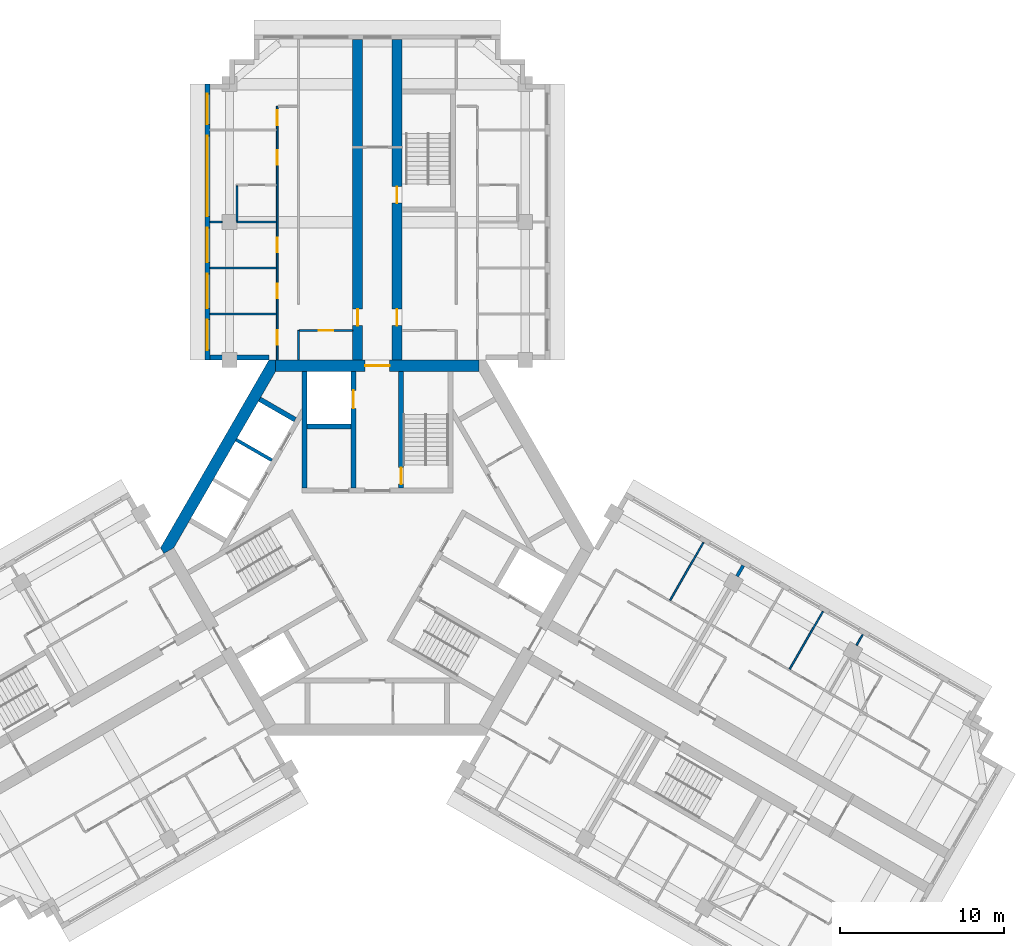
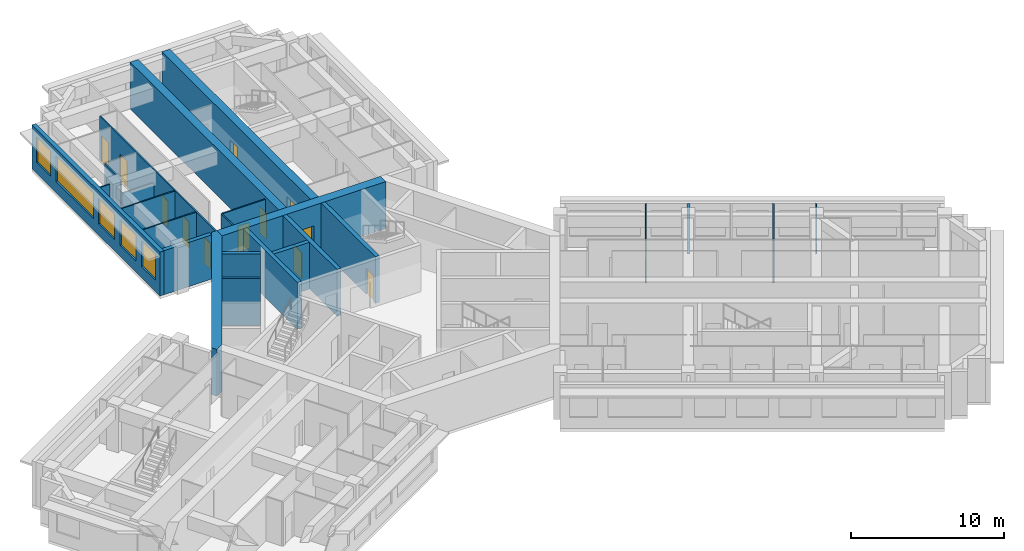
# One storey, part 7 of 11: 24 walls, 12 doors, 5 windows, 17 openings.
"""IFC4 building model written with IfcOpenShell, lengths in metres."""

from ifc_helpers import new_model, si_unit, direction, frame, frame_2d, origin, place, context, subcontext, project, spatial, polyline, rectangle, outline, extrude, material, layer, layer_set, type_object, element, fill, save


model = new_model("IFC4")

# Units and contexts
model_context = context("Model", 3, precision=1e-05, world=origin(), true_north=direction((0.0, 1.0)))
body_context = subcontext(model_context, "Body", "Model", "MODEL_VIEW")
ifc_project = project(units=[si_unit("LENGTHUNIT", "METRE"), si_unit("AREAUNIT", "SQUARE_METRE"), si_unit("VOLUMEUNIT", "CUBIC_METRE"), si_unit("PLANEANGLEUNIT", "RADIAN"), si_unit("MASSUNIT", "GRAM", prefix="KILO")], contexts=[model_context])

# Site, building, storey
site_placement = place(None, origin())
site = spatial("IfcSite", under=ifc_project, at=site_placement, CompositionType="ELEMENT")
building_placement = place(site_placement, origin())
building = spatial("IfcBuilding", under=site, at=building_placement, Name="Impinga Residences", CompositionType="ELEMENT")
storey_placement = place(building_placement, frame((0.0, 0.0, 244.75)))
storey = spatial("IfcBuildingStorey", under=building, at=storey_placement, Name="L61", CompositionType="ELEMENT", Elevation=244.75)

# Wall, opening, door
ifc_material_1 = material(Name="Concrete C60/75", Category="concrete")
ifc_layer_1 = layer(ifc_material_1, 0.60009765625)
ifc_layer_set_1 = layer_set([ifc_layer_1], Name="Concrete C60/75")
wall_type_1 = type_object("IfcWallType", Name="BW3 corridor buttress wall, L46 to L73 600", PredefinedType="SHEAR", material=ifc_layer_set_1)
wall_1_placement = place(storey_placement, frame((-1.199951171875, 11.08154296875, 0.0), z_axis=(0.0, 0.0, 1.0), x_axis=(0.0, 1.0, 0.0)))
wall_1 = element("IfcWall", 1, at=wall_1_placement, inside=storey, type_object=wall_type_1, Name="Corridor wall BW3 NC L61", PredefinedType="SHEAR", context=body_context, shape_type="SweptSolid", body=[
    extrude(rectangle(XDim=19.85009765625, YDim=0.60009765625, at=frame_2d((9.925048828125, 0.0))), origin(), (0.0, 0.0, 1.0), 3.75),
])
opening_1_placement = place(wall_1_placement, frame((2.449951171875, 0.0, 0.0)))
opening_1 = element("IfcOpeningElement", 2, at=opening_1_placement, cuts=wall_1, Name="Opening D1", PredefinedType="OPENING", context=body_context, shape_type="SweptSolid", body=[
    extrude(rectangle(XDim=1.0, YDim=2.10009765625, at=frame_2d((0.5, 1.050048828125))), frame((0.0, 0.31005859375, 0.0), z_axis=(0.0, -1.0, 0.0), x_axis=(1.0, 0.0, 0.0)), (0.0, 0.0, 1.0), 0.6201171875),
])
ifc_material_2 = material(Name="Timber door set", Category="wood")
door_type_1 = type_object("IfcDoorType", Name="D1 apartment entrance door 1000x2100", OperationType="SINGLE_SWING_LEFT", PredefinedType="DOOR", material=ifc_material_2)
door_1_placement = place(opening_1_placement, origin())
door_1 = element("IfcDoor", 3, at=door_1_placement, inside=storey, type_object=door_type_1, Name="Apartment L61-NA1 entrance", OperationType="SINGLE_SWING_LEFT", OverallHeight=2.10009765625, OverallWidth=1.0, PredefinedType="DOOR", context=body_context, shape_type="SweptSolid", body=[
    extrude(rectangle(XDim=1.0, YDim=2.10009765625, at=frame_2d((0.5, 1.050048828125))), frame((0.0, 0.02490234375, 0.0), z_axis=(0.0, -1.0, 0.0), x_axis=(1.0, 0.0, 0.0)), (0.0, 0.0, 1.0), 0.050048828125),
])
fill(opening_1, door_1)

# Wall, openings, doors
wall_2_placement = place(storey_placement, frame((1.199951171875, 11.08154296875, 0.0), z_axis=(0.0, 0.0, 1.0), x_axis=(0.0, 1.0, 0.0)))
wall_2 = element("IfcWall", 4, at=wall_2_placement, inside=storey, type_object=wall_type_1, Name="Corridor wall BW3 ND L61", PredefinedType="SHEAR", context=body_context, shape_type="SweptSolid", body=[
    extrude(rectangle(XDim=19.85009765625, YDim=0.60009765625, at=frame_2d((9.925048828125, 0.0))), origin(), (0.0, 0.0, 1.0), 3.75),
])
opening_2_placement = place(wall_2_placement, frame((9.89990234375, 0.0, 0.0)))
opening_2 = element("IfcOpeningElement", 5, at=opening_2_placement, cuts=wall_2, Name="Opening D5", PredefinedType="OPENING", context=body_context, shape_type="SweptSolid", body=[
    extrude(rectangle(XDim=1.0, YDim=2.10009765625, at=frame_2d((0.5, 1.050048828125))), frame((0.0, 0.31005859375, 0.0), z_axis=(0.0, -1.0, 0.0), x_axis=(1.0, 0.0, 0.0)), (0.0, 0.0, 1.0), 0.6201171875),
])
opening_3_placement = place(wall_2_placement, frame((2.449951171875, 0.0, 0.0)))
opening_3 = element("IfcOpeningElement", 6, at=opening_3_placement, cuts=wall_2, Name="Opening D1", PredefinedType="OPENING", context=body_context, shape_type="SweptSolid", body=[
    extrude(rectangle(XDim=1.0, YDim=2.10009765625, at=frame_2d((0.5, 1.050048828125))), frame((0.0, 0.31005859375, 0.0), z_axis=(0.0, -1.0, 0.0), x_axis=(1.0, 0.0, 0.0)), (0.0, 0.0, 1.0), 0.6201171875),
])
door_2_placement = place(opening_3_placement, origin())
door_2 = element("IfcDoor", 7, at=door_2_placement, inside=storey, type_object=door_type_1, Name="Apartment L61-NF1 entrance", OperationType="SINGLE_SWING_LEFT", OverallHeight=2.10009765625, OverallWidth=1.0, PredefinedType="DOOR", context=body_context, shape_type="SweptSolid", body=[
    extrude(rectangle(XDim=1.0, YDim=2.10009765625, at=frame_2d((0.5, 1.050048828125))), frame((0.0, 0.02490234375, 0.0), z_axis=(0.0, -1.0, 0.0), x_axis=(1.0, 0.0, 0.0)), (0.0, 0.0, 1.0), 0.050048828125),
])
fill(opening_3, door_2)
door_type_2 = type_object("IfcDoorType", Name="D5 stair door 1000x2100", OperationType="SINGLE_SWING_LEFT", PredefinedType="DOOR", material=ifc_material_2)
door_3_placement = place(opening_2_placement, origin())
door_3 = element("IfcDoor", 8, at=door_3_placement, inside=storey, type_object=door_type_2, Name="Wing stair door N", OperationType="SINGLE_SWING_RIGHT", OverallHeight=2.10009765625, OverallWidth=1.0, PredefinedType="DOOR", context=body_context, shape_type="SweptSolid", body=[
    extrude(rectangle(XDim=1.0, YDim=2.10009765625, at=frame_2d((0.5, 1.050048828125))), frame((0.0, 0.02490234375, 0.0), z_axis=(0.0, -1.0, 0.0), x_axis=(1.0, 0.0, 0.0)), (0.0, 0.0, 1.0), 0.050048828125),
])
fill(opening_2, door_3)

# Wall
ifc_material_3 = material(Name="Terracotta rainscreen on blockwork", Category="masonry")
ifc_layer_2 = layer(ifc_material_3, 0.300048828125)
ifc_layer_set_2 = layer_set([ifc_layer_2], Name="EW1 external wall, terracotta rainscreen on blockwork 300")
wall_type_2 = type_object("IfcWallType", Name="EW1 external wall, terracotta rainscreen on blockwork 300", PredefinedType="SOLIDWALL", material=ifc_layer_set_2)
wall_3_placement = place(storey_placement, frame((-6.60009765625, 11.58154296875, 0.0), z_axis=(0.0, 0.0, 1.0), x_axis=(-1.0, 0.0, 0.0)))
element("IfcWall", 9, at=wall_3_placement, inside=storey, type_object=wall_type_2, Name="External wall EW1 L61", PredefinedType="SOLIDWALL", context=body_context, shape_type="SweptSolid", body=[
    extrude(rectangle(XDim=3.599853515625, YDim=0.300048828125, at=frame_2d((1.7998046875, 0.0))), origin(), (0.0, 0.0, 1.0), 3.530029296875),
])

# Wall, openings, windows
wall_4_placement = place(storey_placement, frame((-10.35009765625, 11.431640625, 0.0), z_axis=(0.0, 0.0, 1.0), x_axis=(0.0, 1.0, 0.0)))
wall_4 = element("IfcWall", 10, at=wall_4_placement, inside=storey, type_object=wall_type_2, Name="External wall EW1 L61", PredefinedType="SOLIDWALL", context=body_context, shape_type="SweptSolid", body=[
    extrude(rectangle(XDim=16.7998046875, YDim=0.300048828125, at=frame_2d((8.39990234375, 0.0))), origin(), (0.0, 0.0, 1.0), 3.530029296875),
])
opening_4_placement = place(wall_4_placement, frame((0.60009765625, 0.0, 0.89990234375)))
opening_4 = element("IfcOpeningElement", 11, at=opening_4_placement, cuts=wall_4, Name="Opening W15", PredefinedType="OPENING", context=body_context, shape_type="SweptSolid", body=[
    extrude(rectangle(XDim=1.85009765625, YDim=2.050048828125, at=frame_2d((0.925048828125, 1.02490234375))), frame((0.0, 0.159912109375, 0.0), z_axis=(0.0, -1.0, 0.0), x_axis=(1.0, 0.0, 0.0)), (0.0, 0.0, 1.0), 0.320068359375),
])
opening_5_placement = place(wall_4_placement, frame((3.14990234375, 0.0, 0.89990234375)))
opening_5 = element("IfcOpeningElement", 12, at=opening_5_placement, cuts=wall_4, Name="Opening W9", PredefinedType="OPENING", context=body_context, shape_type="SweptSolid", body=[
    extrude(rectangle(XDim=2.10009765625, YDim=2.050048828125, at=frame_2d((1.050048828125, 1.02490234375))), frame((0.0, 0.159912109375, 0.0), z_axis=(0.0, -1.0, 0.0), x_axis=(1.0, 0.0, 0.0)), (0.0, 0.0, 1.0), 0.320068359375),
])
opening_6_placement = place(wall_4_placement, frame((5.949951171875, 0.0, 0.89990234375)))
opening_6 = element("IfcOpeningElement", 13, at=opening_6_placement, cuts=wall_4, Name="Opening W9", PredefinedType="OPENING", context=body_context, shape_type="SweptSolid", body=[
    extrude(rectangle(XDim=2.10009765625, YDim=2.050048828125, at=frame_2d((1.050048828125, 1.02490234375))), frame((0.0, 0.159912109375, 0.0), z_axis=(0.0, -1.0, 0.0), x_axis=(1.0, 0.0, 0.0)), (0.0, 0.0, 1.0), 0.320068359375),
])
opening_7_placement = place(wall_4_placement, frame((8.75, 0.0, 0.89990234375)))
opening_7 = element("IfcOpeningElement", 14, at=opening_7_placement, cuts=wall_4, Name="Opening W16", PredefinedType="OPENING", context=body_context, shape_type="SweptSolid", body=[
    extrude(rectangle(XDim=4.89990234375, YDim=2.050048828125, at=frame_2d((2.449951171875, 1.02490234375))), frame((0.0, 0.159912109375, 0.0), z_axis=(0.0, -1.0, 0.0), x_axis=(1.0, 0.0, 0.0)), (0.0, 0.0, 1.0), 0.320068359375),
])
opening_8_placement = place(wall_4_placement, frame((14.35009765625, 0.0, 0.89990234375)))
opening_8 = element("IfcOpeningElement", 15, at=opening_8_placement, cuts=wall_4, Name="Opening W15", PredefinedType="OPENING", context=body_context, shape_type="SweptSolid", body=[
    extrude(rectangle(XDim=1.85009765625, YDim=2.050048828125, at=frame_2d((0.925048828125, 1.02490234375))), frame((0.0, 0.159912109375, 0.0), z_axis=(0.0, -1.0, 0.0), x_axis=(1.0, 0.0, 0.0)), (0.0, 0.0, 1.0), 0.320068359375),
])
ifc_material_4 = material(Name="Aluminium window, clear double glazing", Category="aluminium")
window_type_1 = type_object("IfcWindowType", Name="W15 ribbon window 1850x2050", PartitioningType="SINGLE_PANEL", PredefinedType="WINDOW", material=ifc_material_4)
window_1_placement = place(opening_4_placement, origin())
window_1 = element("IfcWindow", 16, at=window_1_placement, inside=storey, type_object=window_type_1, Name="Window L61", OverallHeight=2.050048828125, OverallWidth=1.85009765625, PartitioningType="SINGLE_PANEL", PredefinedType="WINDOW", context=body_context, shape_type="SweptSolid", body=[
    extrude(rectangle(XDim=1.85009765625, YDim=2.050048828125, at=frame_2d((0.925048828125, 1.02490234375))), frame((0.0, 0.030029296875, 0.0), z_axis=(0.0, -1.0, 0.0), x_axis=(1.0, 0.0, 0.0)), (0.0, 0.0, 1.0), 0.06005859375),
])
fill(opening_4, window_1)
window_2_placement = place(opening_8_placement, origin())
window_2 = element("IfcWindow", 17, at=window_2_placement, inside=storey, type_object=window_type_1, Name="Window L61", OverallHeight=2.050048828125, OverallWidth=1.85009765625, PartitioningType="SINGLE_PANEL", PredefinedType="WINDOW", context=body_context, shape_type="SweptSolid", body=[
    extrude(rectangle(XDim=1.85009765625, YDim=2.050048828125, at=frame_2d((0.925048828125, 1.02490234375))), frame((0.0, 0.030029296875, 0.0), z_axis=(0.0, -1.0, 0.0), x_axis=(1.0, 0.0, 0.0)), (0.0, 0.0, 1.0), 0.06005859375),
])
fill(opening_8, window_2)
window_type_2 = type_object("IfcWindowType", Name="W16 ribbon window 4900x2050", PartitioningType="SINGLE_PANEL", PredefinedType="WINDOW", material=ifc_material_4)
window_3_placement = place(opening_7_placement, origin())
window_3 = element("IfcWindow", 18, at=window_3_placement, inside=storey, type_object=window_type_2, Name="Window L61", OverallHeight=2.050048828125, OverallWidth=4.89990234375, PartitioningType="SINGLE_PANEL", PredefinedType="WINDOW", context=body_context, shape_type="SweptSolid", body=[
    extrude(rectangle(XDim=4.89990234375, YDim=2.050048828125, at=frame_2d((2.449951171875, 1.02490234375))), frame((0.0, 0.030029296875, 0.0), z_axis=(0.0, -1.0, 0.0), x_axis=(1.0, 0.0, 0.0)), (0.0, 0.0, 1.0), 0.06005859375),
])
fill(opening_7, window_3)
window_type_3 = type_object("IfcWindowType", Name="W9 ribbon window 2100x2050", PartitioningType="SINGLE_PANEL", PredefinedType="WINDOW", material=ifc_material_4)
window_4_placement = place(opening_5_placement, origin())
window_4 = element("IfcWindow", 19, at=window_4_placement, inside=storey, type_object=window_type_3, Name="Window L61", OverallHeight=2.050048828125, OverallWidth=2.10009765625, PartitioningType="SINGLE_PANEL", PredefinedType="WINDOW", context=body_context, shape_type="SweptSolid", body=[
    extrude(rectangle(XDim=2.10009765625, YDim=2.050048828125, at=frame_2d((1.050048828125, 1.02490234375))), frame((0.0, 0.030029296875, 0.0), z_axis=(0.0, -1.0, 0.0), x_axis=(1.0, 0.0, 0.0)), (0.0, 0.0, 1.0), 0.06005859375),
])
fill(opening_5, window_4)
window_5_placement = place(opening_6_placement, origin())
window_5 = element("IfcWindow", 20, at=window_5_placement, inside=storey, type_object=window_type_3, Name="Window L61", OverallHeight=2.050048828125, OverallWidth=2.10009765625, PartitioningType="SINGLE_PANEL", PredefinedType="WINDOW", context=body_context, shape_type="SweptSolid", body=[
    extrude(rectangle(XDim=2.10009765625, YDim=2.050048828125, at=frame_2d((1.050048828125, 1.02490234375))), frame((0.0, 0.030029296875, 0.0), z_axis=(0.0, -1.0, 0.0), x_axis=(1.0, 0.0, 0.0)), (0.0, 0.0, 1.0), 0.06005859375),
])
fill(opening_6, window_5)

# Wall
ifc_material_5 = material(Name="Gypsum board on steel studs", Category="steel")
ifc_layer_3 = layer(ifc_material_5, 0.10009765625)
ifc_layer_set_3 = layer_set([ifc_layer_3], Name="Gypsum board on steel studs")
wall_type_3 = type_object("IfcWallType", Name="IP1 partition 100", PredefinedType="PARTITIONING", material=ifc_layer_set_3)
wall_5_placement = place(storey_placement, frame((-4.800048828125, 11.431640625, 0.0), z_axis=(0.0, 0.0, 1.0), x_axis=(0.0, 1.0, 0.0)))
element("IfcWall", 21, at=wall_5_placement, inside=storey, type_object=wall_type_3, Name="Partition L61-NA1:DIV0", PredefinedType="PARTITIONING", context=body_context, shape_type="SweptSolid", body=[
    extrude(rectangle(XDim=1.7998046875, YDim=0.10009765625, at=frame_2d((0.89990234375, 0.0))), origin(), (0.0, 0.0, 1.0), 3.530029296875),
])

# Wall, openings, doors
wall_6_placement = place(storey_placement, frame((-6.10009765625, 11.431640625, 0.0), z_axis=(0.0, 0.0, 1.0), x_axis=(0.0, 1.0, 0.0)))
wall_6 = element("IfcWall", 22, at=wall_6_placement, inside=storey, type_object=wall_type_3, Name="Partition L61-NA1:STRIP", PredefinedType="PARTITIONING", context=body_context, shape_type="SweptSolid", body=[
    extrude(rectangle(XDim=15.449951171875, YDim=0.10009765625, at=frame_2d((7.72509765625, 0.0))), origin(), (0.0, 0.0, 1.0), 3.530029296875),
])
opening_9_placement = place(wall_6_placement, frame((0.925048828125, 0.0, 0.0)))
opening_9 = element("IfcOpeningElement", 23, at=opening_9_placement, cuts=wall_6, Name="Opening D2", PredefinedType="OPENING", context=body_context, shape_type="SweptSolid", body=[
    extrude(rectangle(XDim=0.89990234375, YDim=2.10009765625, at=frame_2d((0.449951171875, 1.050048828125))), frame((0.0, 0.06005859375, 0.0), z_axis=(0.0, -1.0, 0.0), x_axis=(1.0, 0.0, 0.0)), (0.0, 0.0, 1.0), 0.1201171875),
])
opening_10_placement = place(wall_6_placement, frame((3.75, 0.0, 0.0)))
opening_10 = element("IfcOpeningElement", 24, at=opening_10_placement, cuts=wall_6, Name="Opening D2", PredefinedType="OPENING", context=body_context, shape_type="SweptSolid", body=[
    extrude(rectangle(XDim=0.89990234375, YDim=2.10009765625, at=frame_2d((0.449951171875, 1.050048828125))), frame((0.0, 0.06005859375, 0.0), z_axis=(0.0, -1.0, 0.0), x_axis=(1.0, 0.0, 0.0)), (0.0, 0.0, 1.0), 0.1201171875),
])
opening_11_placement = place(wall_6_placement, frame((6.550048828125, 0.0, 0.0)))
opening_11 = element("IfcOpeningElement", 25, at=opening_11_placement, cuts=wall_6, Name="Opening D2", PredefinedType="OPENING", context=body_context, shape_type="SweptSolid", body=[
    extrude(rectangle(XDim=0.89990234375, YDim=2.10009765625, at=frame_2d((0.449951171875, 1.050048828125))), frame((0.0, 0.06005859375, 0.0), z_axis=(0.0, -1.0, 0.0), x_axis=(1.0, 0.0, 0.0)), (0.0, 0.0, 1.0), 0.1201171875),
])
opening_12_placement = place(wall_6_placement, frame((11.875, 0.0, 0.0)))
opening_12 = element("IfcOpeningElement", 26, at=opening_12_placement, cuts=wall_6, Name="Opening D2", PredefinedType="OPENING", context=body_context, shape_type="SweptSolid", body=[
    extrude(rectangle(XDim=0.89990234375, YDim=2.10009765625, at=frame_2d((0.449951171875, 1.050048828125))), frame((0.0, 0.06005859375, 0.0), z_axis=(0.0, -1.0, 0.0), x_axis=(1.0, 0.0, 0.0)), (0.0, 0.0, 1.0), 0.1201171875),
])
opening_13_placement = place(wall_6_placement, frame((14.300048828125, 0.0, 0.0)))
opening_13 = element("IfcOpeningElement", 27, at=opening_13_placement, cuts=wall_6, Name="Opening D2", PredefinedType="OPENING", context=body_context, shape_type="SweptSolid", body=[
    extrude(rectangle(XDim=0.89990234375, YDim=2.10009765625, at=frame_2d((0.449951171875, 1.050048828125))), frame((0.0, 0.06005859375, 0.0), z_axis=(0.0, -1.0, 0.0), x_axis=(1.0, 0.0, 0.0)), (0.0, 0.0, 1.0), 0.1201171875),
])
door_type_3 = type_object("IfcDoorType", Name="D2 internal door 900x2100", OperationType="SINGLE_SWING_LEFT", PredefinedType="DOOR", material=ifc_material_2)
door_4_placement = place(opening_9_placement, origin())
door_4 = element("IfcDoor", 28, at=door_4_placement, inside=storey, type_object=door_type_3, Name="Apartment L61-NA1 room door", OperationType="SINGLE_SWING_LEFT", OverallHeight=2.10009765625, OverallWidth=0.89990234375, PredefinedType="DOOR", context=body_context, shape_type="SweptSolid", body=[
    extrude(rectangle(XDim=0.89990234375, YDim=2.10009765625, at=frame_2d((0.449951171875, 1.050048828125))), frame((0.0, 0.02490234375, 0.0), z_axis=(0.0, -1.0, 0.0), x_axis=(1.0, 0.0, 0.0)), (0.0, 0.0, 1.0), 0.050048828125),
])
fill(opening_9, door_4)
door_5_placement = place(opening_10_placement, origin())
door_5 = element("IfcDoor", 29, at=door_5_placement, inside=storey, type_object=door_type_3, Name="Apartment L61-NA1 room door", OperationType="SINGLE_SWING_LEFT", OverallHeight=2.10009765625, OverallWidth=0.89990234375, PredefinedType="DOOR", context=body_context, shape_type="SweptSolid", body=[
    extrude(rectangle(XDim=0.89990234375, YDim=2.10009765625, at=frame_2d((0.449951171875, 1.050048828125))), frame((0.0, 0.02490234375, 0.0), z_axis=(0.0, -1.0, 0.0), x_axis=(1.0, 0.0, 0.0)), (0.0, 0.0, 1.0), 0.050048828125),
])
fill(opening_10, door_5)
door_6_placement = place(opening_11_placement, origin())
door_6 = element("IfcDoor", 30, at=door_6_placement, inside=storey, type_object=door_type_3, Name="Apartment L61-NA1 room door", OperationType="SINGLE_SWING_LEFT", OverallHeight=2.10009765625, OverallWidth=0.89990234375, PredefinedType="DOOR", context=body_context, shape_type="SweptSolid", body=[
    extrude(rectangle(XDim=0.89990234375, YDim=2.10009765625, at=frame_2d((0.449951171875, 1.050048828125))), frame((0.0, 0.02490234375, 0.0), z_axis=(0.0, -1.0, 0.0), x_axis=(1.0, 0.0, 0.0)), (0.0, 0.0, 1.0), 0.050048828125),
])
fill(opening_11, door_6)
door_7_placement = place(opening_12_placement, origin())
door_7 = element("IfcDoor", 31, at=door_7_placement, inside=storey, type_object=door_type_3, Name="Apartment L61-NA1 room door", OperationType="SINGLE_SWING_RIGHT", OverallHeight=2.10009765625, OverallWidth=0.89990234375, PredefinedType="DOOR", context=body_context, shape_type="SweptSolid", body=[
    extrude(rectangle(XDim=0.89990234375, YDim=2.10009765625, at=frame_2d((0.449951171875, 1.050048828125))), frame((0.0, 0.02490234375, 0.0), z_axis=(0.0, -1.0, 0.0), x_axis=(1.0, 0.0, 0.0)), (0.0, 0.0, 1.0), 0.050048828125),
])
fill(opening_12, door_7)
door_8_placement = place(opening_13_placement, origin())
door_8 = element("IfcDoor", 32, at=door_8_placement, inside=storey, type_object=door_type_3, Name="Apartment L61-NA1 room door", OperationType="SINGLE_SWING_RIGHT", OverallHeight=2.10009765625, OverallWidth=0.89990234375, PredefinedType="DOOR", context=body_context, shape_type="SweptSolid", body=[
    extrude(rectangle(XDim=0.89990234375, YDim=2.10009765625, at=frame_2d((0.449951171875, 1.050048828125))), frame((0.0, 0.02490234375, 0.0), z_axis=(0.0, -1.0, 0.0), x_axis=(1.0, 0.0, 0.0)), (0.0, 0.0, 1.0), 0.050048828125),
])
fill(opening_13, door_8)

# Wall, opening, door
wall_7_placement = place(storey_placement, frame((-1.5, 13.2314453125, 0.0), z_axis=(0.0, 0.0, 1.0), x_axis=(-1.0, 0.0, 0.0)))
wall_7 = element("IfcWall", 33, at=wall_7_placement, inside=storey, type_object=wall_type_3, Name="Partition L61-NA1:IB1", PredefinedType="PARTITIONING", context=body_context, shape_type="SweptSolid", body=[
    extrude(rectangle(XDim=3.25, YDim=0.10009765625, at=frame_2d((1.625, 0.0))), origin(), (0.0, 0.0, 1.0), 3.530029296875),
])
opening_14_placement = place(wall_7_placement, frame((1.175048828125, 0.0, 0.0)))
opening_14 = element("IfcOpeningElement", 34, at=opening_14_placement, cuts=wall_7, Name="Opening D2", PredefinedType="OPENING", context=body_context, shape_type="SweptSolid", body=[
    extrude(rectangle(XDim=0.89990234375, YDim=2.10009765625, at=frame_2d((0.449951171875, 1.050048828125))), frame((0.0, 0.06005859375, 0.0), z_axis=(0.0, -1.0, 0.0), x_axis=(1.0, 0.0, 0.0)), (0.0, 0.0, 1.0), 0.1201171875),
])
door_9_placement = place(opening_14_placement, origin())
door_9 = element("IfcDoor", 35, at=door_9_placement, inside=storey, type_object=door_type_3, Name="Apartment L61-NA1 bathroom door", OperationType="SINGLE_SWING_LEFT", OverallHeight=2.10009765625, OverallWidth=0.89990234375, PredefinedType="DOOR", context=body_context, shape_type="SweptSolid", body=[
    extrude(rectangle(XDim=0.89990234375, YDim=2.10009765625, at=frame_2d((0.449951171875, 1.050048828125))), frame((0.0, 0.02490234375, 0.0), z_axis=(0.0, -1.0, 0.0), x_axis=(1.0, 0.0, 0.0)), (0.0, 0.0, 1.0), 0.050048828125),
])
fill(opening_14, door_9)

# Walls
for number, where, z_axis, x_axis, name in (
    (36, (-6.14990234375, 14.2314453125, 0.0), (0.0, 0.0, 1.0), (-1.0, 0.0, 0.0), "Partition L61-NA1:OB1"),
    (37, (-6.14990234375, 17.031494140625, 0.0), (0.0, 0.0, 1.0), (-1.0, 0.0, 0.0), "Partition L61-NA1:OB2"),
):
    element("IfcWall", number, at=place(storey_placement, frame(where, z_axis=z_axis, x_axis=x_axis)), inside=storey, type_object=wall_type_3, Name=name, PredefinedType="PARTITIONING", context=body_context, shape_type="SweptSolid", body=[
        extrude(rectangle(XDim=4.050048828125, YDim=0.10009765625, at=frame_2d((2.02490234375, 0.0))), origin(), (0.0, 0.0, 1.0), 3.530029296875),
    ])
wall_8_placement = place(storey_placement, frame((-6.14990234375, 19.83154296875, 0.0), z_axis=(0.0, 0.0, 1.0), x_axis=(-1.0, 0.0, 0.0)))
element("IfcWall", 38, at=wall_8_placement, inside=storey, type_object=wall_type_3, Name="Partition L61-NA1:OB3", PredefinedType="PARTITIONING", context=body_context, shape_type="SweptSolid", body=[
    extrude(rectangle(XDim=2.400146484375, YDim=0.10009765625, at=frame_2d((1.2001953125, 0.0))), origin(), (0.0, 0.0, 1.0), 2.47998046875),
])
wall_9_placement = place(storey_placement, frame((-9.449951171875, 19.83154296875, 0.0), z_axis=(0.0, 0.0, 1.0), x_axis=(-1.0, 0.0, 0.0)))
element("IfcWall", 39, at=wall_9_placement, inside=storey, type_object=wall_type_3, Name="Partition L61-NA1:OB3b", PredefinedType="PARTITIONING", context=body_context, shape_type="SweptSolid", body=[
    extrude(rectangle(XDim=0.75, YDim=0.10009765625, at=frame_2d((0.375, 0.0))), origin(), (0.0, 0.0, 1.0), 3.530029296875),
])
wall_10_placement = place(storey_placement, frame((-8.550048828125, 19.881591796875, 0.0), z_axis=(0.0, 0.0, 1.0), x_axis=(0.0, 1.0, 0.0)))
element("IfcWall", 40, at=wall_10_placement, inside=storey, type_object=wall_type_3, Name="Partition L61-NA1:EN2", PredefinedType="PARTITIONING", context=body_context, shape_type="SweptSolid", body=[
    extrude(rectangle(XDim=2.14990234375, YDim=0.10009765625, at=frame_2d((1.074951171875, 0.0))), origin(), (0.0, 0.0, 1.0), 3.530029296875),
])
wall_11_placement = place(storey_placement, frame((17.82470703125, -3.189697265625, 0.0), z_axis=(0.0, 0.0, 1.0), x_axis=(0.500035537042, 0.866004885491, 0.0)))
element("IfcWall", 41, at=wall_11_placement, inside=storey, type_object=wall_type_3, Name="Partition L61-EA1:OB1", PredefinedType="PARTITIONING", context=body_context, shape_type="SweptSolid", body=[
    extrude(rectangle(XDim=4.050048828125, YDim=0.10009765625, at=frame_2d((2.02490234375, 0.0))), origin(), (0.0, 0.0, 1.0), 3.530029296875),
])
wall_12_placement = place(storey_placement, frame((25.099365234375, -7.3896484375, 0.0), z_axis=(0.0, 0.0, 1.0), x_axis=(0.499990325971, 0.866030989016, 0.0)))
element("IfcWall", 42, at=wall_12_placement, inside=storey, type_object=wall_type_3, Name="Partition L61-EA2:OB2", PredefinedType="PARTITIONING", context=body_context, shape_type="SweptSolid", body=[
    extrude(rectangle(XDim=4.0498046875, YDim=0.10009765625, at=frame_2d((2.02490234375, 0.0))), origin(), (0.0, 0.0, 1.0), 3.530029296875),
])
wall_13_placement = place(storey_placement, frame((29.17431640625, -5.931884765625, 0.0), z_axis=(0.0, 0.0, 1.0), x_axis=(0.499919672301, 0.866071776036, 0.0)))
element("IfcWall", 43, at=wall_13_placement, inside=storey, type_object=wall_type_3, Name="Partition L61-EA2:OB3b", PredefinedType="PARTITIONING", context=body_context, shape_type="SweptSolid", body=[
    extrude(rectangle(XDim=0.75, YDim=0.10009765625, at=frame_2d((0.375, 0.0))), origin(), (0.0, 0.0, 1.0), 3.530029296875),
])
ifc_material_6 = material(Name="Concrete blockwork", Category="masonry")
ifc_layer_4 = layer(ifc_material_6, 0.199951171875)
ifc_layer_set_4 = layer_set([ifc_layer_4], Name="PW1 party wall between apartments 200")
wall_type_4 = type_object("IfcWallType", Name="PW1 party wall between apartments 200", PredefinedType="SOLIDWALL", material=ifc_layer_set_4)
wall_14_placement = place(storey_placement, frame((21.899658203125, -1.73193359375, 0.0), z_axis=(0.0, 0.0, 1.0), x_axis=(0.499919672301, 0.866071776036, 0.0)))
element("IfcWall", 44, at=wall_14_placement, inside=storey, type_object=wall_type_4, Name="Party wall between apartments L61-EA1:PARTYb", PredefinedType="SOLIDWALL", context=body_context, shape_type="SweptSolid", body=[
    extrude(rectangle(XDim=0.75, YDim=0.199951171875, at=frame_2d((0.375, 0.0))), origin(), (0.0, 0.0, 1.0), 3.530029296875),
])

# Wall, opening, door
ifc_layer_5 = layer(ifc_material_1, 0.699951171875)
ifc_layer_set_5 = layer_set([ifc_layer_5], Name="Concrete C60/75")
wall_type_5 = type_object("IfcWallType", Name="SW3 core wall 700", PredefinedType="SHEAR", material=ifc_layer_set_5)
wall_15_placement = place(storey_placement, frame((-6.19580078125, 11.08154296875, 0.0), z_axis=(0.0, 0.0, 1.0), x_axis=(1.0, 0.0, 0.0)))
wall_15 = element("IfcWall", 45, at=wall_15_placement, inside=storey, type_object=wall_type_5, Name="Core wall SW3 N:FACE L61", PredefinedType="SHEAR", context=body_context, shape_type="SweptSolid", body=[
    extrude(rectangle(XDim=12.3916015625, YDim=0.699951171875, at=frame_2d((6.19580078125, 0.0))), origin(), (0.0, 0.0, 1.0), 3.75),
])
opening_15_placement = place(wall_15_placement, frame((5.44580078125, 0.0, 0.0)))
opening_15 = element("IfcOpeningElement", 46, at=opening_15_placement, cuts=wall_15, Name="Opening D4", PredefinedType="OPENING", context=body_context, shape_type="SweptSolid", body=[
    extrude(rectangle(XDim=1.5, YDim=2.10009765625, at=frame_2d((0.75, 1.050048828125))), frame((0.0, 0.35986328125, 0.0), z_axis=(0.0, -1.0, 0.0), x_axis=(1.0, 0.0, 0.0)), (0.0, 0.0, 1.0), 0.719970703125),
])
door_type_4 = type_object("IfcDoorType", Name="D4 lobby door pair 1500x2100", OperationType="DOUBLE_DOOR_DOUBLE_SWING", PredefinedType="DOOR", material=ifc_material_2)
door_10_placement = place(opening_15_placement, origin())
door_10 = element("IfcDoor", 47, at=door_10_placement, inside=storey, type_object=door_type_4, Name="Lobby door N", OperationType="DOUBLE_DOOR_DOUBLE_SWING", OverallHeight=2.10009765625, OverallWidth=1.5, PredefinedType="DOOR", context=body_context, shape_type="SweptSolid", body=[
    extrude(rectangle(XDim=1.5, YDim=2.10009765625, at=frame_2d((0.75, 1.050048828125))), frame((0.0, 0.02490234375, 0.0), z_axis=(0.0, -1.0, 0.0), x_axis=(1.0, 0.0, 0.0)), (0.0, 0.0, 1.0), 0.050048828125),
])
fill(opening_15, door_10)

# Wall
wall_16_placement = place(storey_placement, origin())
element("IfcWall", 48, at=wall_16_placement, inside=storey, type_object=wall_type_5, Name="Core wall SW3 E:EXPOSED L61", PredefinedType="SHEAR", context=body_context, shape_type="SweptSolid", body=[
    extrude(outline(polyline([(-6.60009765625, 11.431640625), (-13.199951171875, 0.0), (-12.998046875, -0.35009765625), (-12.3916015625, 0.0), (-6.19580078125, 10.7314453125), (-6.19580078125, 11.431640625), (-6.60009765625, 11.431640625)])), origin(), (0.0, 0.0, 1.0), 3.75),
])

# Wall, opening, door
ifc_material_7 = material(Name="Concrete C70/85", Category="concrete")
ifc_layer_6 = layer(ifc_material_7, 0.300048828125)
ifc_layer_set_6 = layer_set([ifc_layer_6], Name="Concrete C70/85")
wall_type_6 = type_object("IfcWallType", Name="SW5 core inner wall, stairs, shafts and lobbies 300", PredefinedType="SHEAR", material=ifc_layer_set_6)
wall_17_placement = place(storey_placement, frame((1.449951171875, 3.6298828125, 0.0), z_axis=(0.0, 0.0, 1.0), x_axis=(0.0, 1.0, 0.0)))
wall_17 = element("IfcWall", 49, at=wall_17_placement, inside=storey, type_object=wall_type_6, Name="Core wall SW5 N:ST-IN L61", PredefinedType="SHEAR", context=body_context, shape_type="SweptSolid", body=[
    extrude(rectangle(XDim=7.1015625, YDim=0.300048828125, at=frame_2d((3.55078125, 0.0))), origin(), (0.0, 0.0, 1.0), 3.75),
])
opening_16_placement = place(wall_17_placement, frame((0.25, 0.0, 0.0)))
opening_16 = element("IfcOpeningElement", 50, at=opening_16_placement, cuts=wall_17, Name="Opening D5", PredefinedType="OPENING", context=body_context, shape_type="SweptSolid", body=[
    extrude(rectangle(XDim=1.0, YDim=2.10009765625, at=frame_2d((0.5, 1.050048828125))), frame((0.0, 0.159912109375, 0.0), z_axis=(0.0, -1.0, 0.0), x_axis=(1.0, 0.0, 0.0)), (0.0, 0.0, 1.0), 0.320068359375),
])
door_11_placement = place(opening_16_placement, origin())
door_11 = element("IfcDoor", 51, at=door_11_placement, inside=storey, type_object=door_type_2, Name="Stair door N", OperationType="SINGLE_SWING_LEFT", OverallHeight=2.10009765625, OverallWidth=1.0, PredefinedType="DOOR", context=body_context, shape_type="SweptSolid", body=[
    extrude(rectangle(XDim=1.0, YDim=2.10009765625, at=frame_2d((0.5, 1.050048828125))), frame((0.0, 0.02490234375, 0.0), z_axis=(0.0, -1.0, 0.0), x_axis=(1.0, 0.0, 0.0)), (0.0, 0.0, 1.0), 0.050048828125),
])
fill(opening_16, door_11)

wall_18_placement = place(storey_placement, frame((-1.449951171875, 3.6298828125, 0.0), z_axis=(0.0, 0.0, 1.0), x_axis=(0.0, 1.0, 0.0)))
wall_18 = element("IfcWall", 52, at=wall_18_placement, inside=storey, type_object=wall_type_6, Name="Core wall SW5 N:FF-IN L61", PredefinedType="SHEAR", context=body_context, shape_type="SweptSolid", body=[
    extrude(rectangle(XDim=7.1015625, YDim=0.300048828125, at=frame_2d((3.55078125, 0.0))), origin(), (0.0, 0.0, 1.0), 3.75),
])
opening_17_placement = place(wall_18_placement, frame((4.85009765625, 0.0, 0.0)))
opening_17 = element("IfcOpeningElement", 53, at=opening_17_placement, cuts=wall_18, Name="Opening LD2", PredefinedType="OPENING", context=body_context, shape_type="SweptSolid", body=[
    extrude(rectangle(XDim=1.10009765625, YDim=2.10009765625, at=frame_2d((0.550048828125, 1.050048828125))), frame((0.0, 0.159912109375, 0.0), z_axis=(0.0, -1.0, 0.0), x_axis=(1.0, 0.0, 0.0)), (0.0, 0.0, 1.0), 0.320068359375),
])
ifc_material_8 = material(Name="Steel lift landing door", Category="steel")
door_type_5 = type_object("IfcDoorType", Name="LD2 firefighting lift landing door 1100x2100", OperationType="DOUBLE_DOOR_SLIDING", PredefinedType="DOOR", material=ifc_material_8)
door_12_placement = place(opening_17_placement, origin())
door_12 = element("IfcDoor", 54, at=door_12_placement, inside=storey, type_object=door_type_5, Name="Firefighting lift landing door F1", OperationType="DOUBLE_DOOR_SLIDING", OverallHeight=2.10009765625, OverallWidth=1.10009765625, PredefinedType="DOOR", context=body_context, shape_type="SweptSolid", body=[
    extrude(rectangle(XDim=1.10009765625, YDim=2.10009765625, at=frame_2d((0.550048828125, 1.050048828125))), frame((0.0, 0.02490234375, 0.0), z_axis=(0.0, -1.0, 0.0), x_axis=(1.0, 0.0, 0.0)), (0.0, 0.0, 1.0), 0.050048828125),
])
fill(opening_17, door_12)

# Walls
wall_19_placement = place(storey_placement, frame((-4.449951171875, 3.6298828125, 0.0), z_axis=(0.0, 0.0, 1.0), x_axis=(0.0, 1.0, 0.0)))
element("IfcWall", 55, at=wall_19_placement, inside=storey, type_object=wall_type_6, Name="Core wall SW5 N:FF-OUT L61", PredefinedType="SHEAR", context=body_context, shape_type="SweptSolid", body=[
    extrude(rectangle(XDim=7.1015625, YDim=0.300048828125, at=frame_2d((3.55078125, 0.0))), origin(), (0.0, 0.0, 1.0), 3.75),
])
wall_20_placement = place(storey_placement, frame((-4.300048828125, 7.3798828125, 0.0), z_axis=(0.0, 0.0, 1.0), x_axis=(1.0, 0.0, 0.0)))
element("IfcWall", 56, at=wall_20_placement, inside=storey, type_object=wall_type_6, Name="Core wall SW5 N:FF-RS L61", PredefinedType="SHEAR", context=body_context, shape_type="SweptSolid", body=[
    extrude(rectangle(XDim=2.699951171875, YDim=0.300048828125, at=frame_2d((1.35009765625, 0.0))), origin(), (0.0, 0.0, 1.0), 3.75),
])
wall_21_placement = place(storey_placement, frame((-5.003662109375, 7.79638671875, 0.0), z_axis=(0.0, 0.0, 1.0), x_axis=(-0.866022959057, 0.500004234368, 0.0)))
element("IfcWall", 57, at=wall_21_placement, inside=storey, type_object=wall_type_6, Name="Core wall SW5 E:BANK-R L61", PredefinedType="SHEAR", context=body_context, shape_type="SweptSolid", body=[
    extrude(rectangle(XDim=2.5, YDim=0.300048828125, at=frame_2d((1.25, 0.0))), origin(), (0.0, 0.0, 1.0), 3.75),
])
ifc_layer_7 = layer(ifc_material_7, 0.199951171875)
ifc_layer_set_7 = layer_set([ifc_layer_7], Name="Concrete C70/85")
wall_type_7 = type_object("IfcWallType", Name="SW6 lift shaft divider wall 200", PredefinedType="SHEAR", material=ifc_layer_set_7)
wall_22_placement = place(storey_placement, frame((-6.4287109375, 5.328125, 0.0), z_axis=(0.0, 0.0, 1.0), x_axis=(-0.866022959057, 0.500004234368, 0.0)))
element("IfcWall", 58, at=wall_22_placement, inside=storey, type_object=wall_type_7, Name="Core wall SW6 E:BANK-D2 L61", PredefinedType="SHEAR", context=body_context, shape_type="SweptSolid", body=[
    extrude(rectangle(XDim=2.5, YDim=0.199951171875, at=frame_2d((1.25, 0.0))), origin(), (0.0, 0.0, 1.0), 3.75),
])

save(model, "model.ifc")
